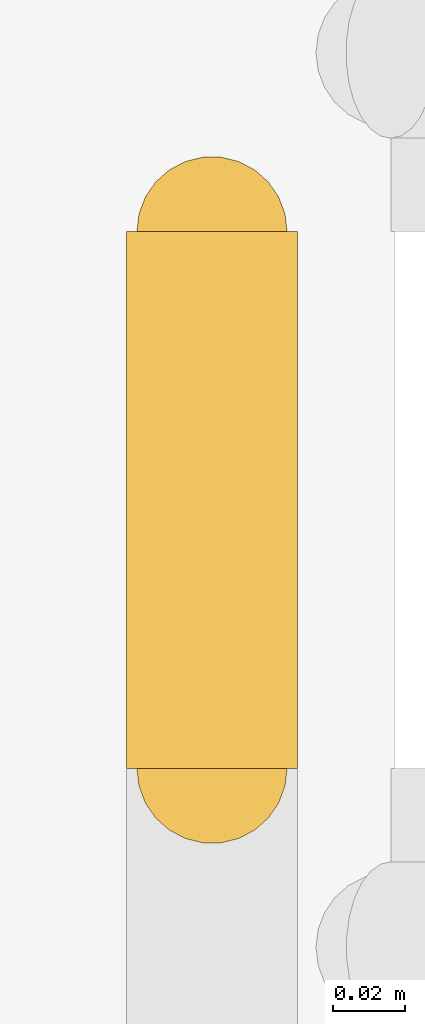
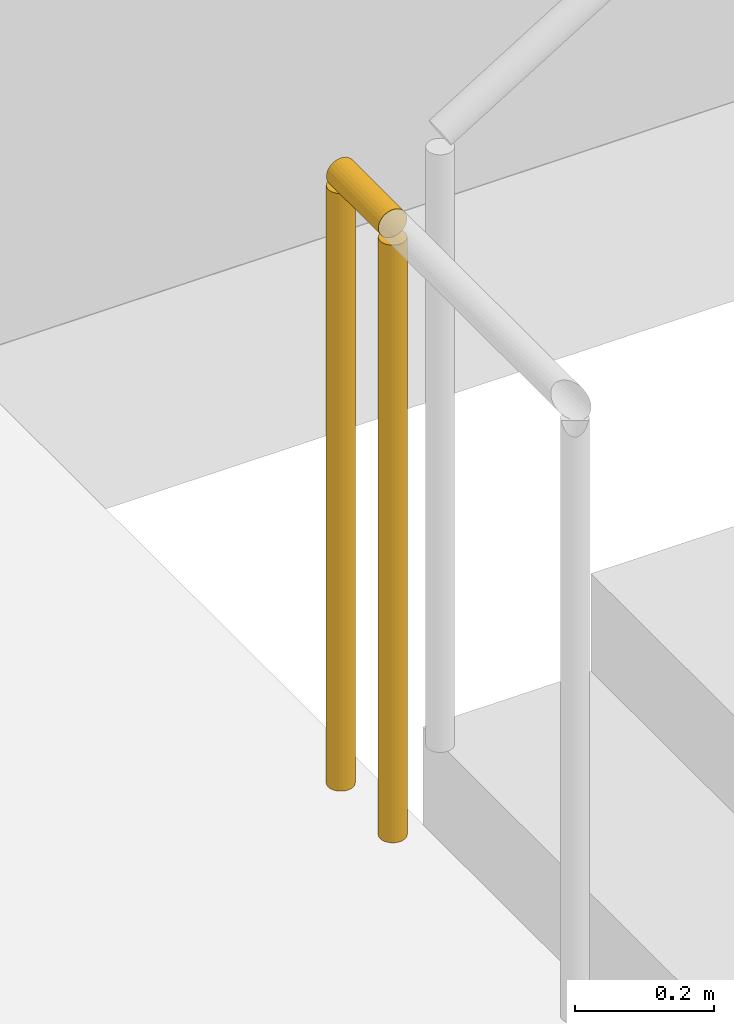
# One storey, part 8 of 12: 1 railing.
"""IFC4 building model written with IfcOpenShell, lengths in metres."""

from ifc_helpers import new_model, si_unit, direction, frame, origin, origin_2d, place, context, subcontext, project, spatial, circle, extrude, material, type_object, element, save


model = new_model("IFC4")

# Units and contexts
model_context = context("Model", 3, precision=1e-05, world=origin(), true_north=direction((0.0, 1.0)))
body_context = subcontext(model_context, "Body", "Model", "MODEL_VIEW")
ifc_project = project(units=[si_unit("LENGTHUNIT", "METRE"), si_unit("AREAUNIT", "SQUARE_METRE"), si_unit("VOLUMEUNIT", "CUBIC_METRE"), si_unit("PLANEANGLEUNIT", "RADIAN"), si_unit("MASSUNIT", "GRAM", prefix="KILO")], contexts=[model_context])

# Site, building, storey
site_placement = place(None, origin())
site = spatial("IfcSite", under=ifc_project, at=site_placement, CompositionType="ELEMENT")
building_placement = place(site_placement, origin())
building = spatial("IfcBuilding", under=site, at=building_placement, Name="Ostrand Prow Hotel Tower", CompositionType="ELEMENT")
storey_placement = place(building_placement, frame((0.0, 0.0, 8.0)))
storey = spatial("IfcBuildingStorey", under=building, at=storey_placement, Name="L01", CompositionType="ELEMENT", Elevation=8.0)

# Railing
ifc_material = material(Name="Painted steel", Category="steel")
railing_type = type_object("IfcRailingType", Name="Stair guard 1100", PredefinedType="GUARDRAIL", material=ifc_material)
railing_placement = place(storey_placement, frame((57.14990234375, -11.699951171875, 0.0)))
element("IfcRailing", 1, at=railing_placement, inside=storey, type_object=railing_type, Name="L01 ST2B stair guard 4", PredefinedType="GUARDRAIL", context=body_context, shape_type="SweptSolid", body=[
    extrude(circle(Radius=0.02392578125, at=origin_2d()), frame((0.0, 0.0, 1.076171875), z_axis=(0.0, 1.0, 0.0), x_axis=(-1.0, 0.0, 0.0)), (0.0, 0.0, 1.0), 0.14990234375),
    extrude(circle(Radius=0.02099609375, at=origin_2d()), origin(), (0.0, 0.0, 1.0), 1.052001953125),
    extrude(circle(Radius=0.02099609375, at=origin_2d()), frame((0.0, 0.14990234375, 0.0)), (0.0, 0.0, 1.0), 1.052001953125),
])

save(model, "model.ifc")
